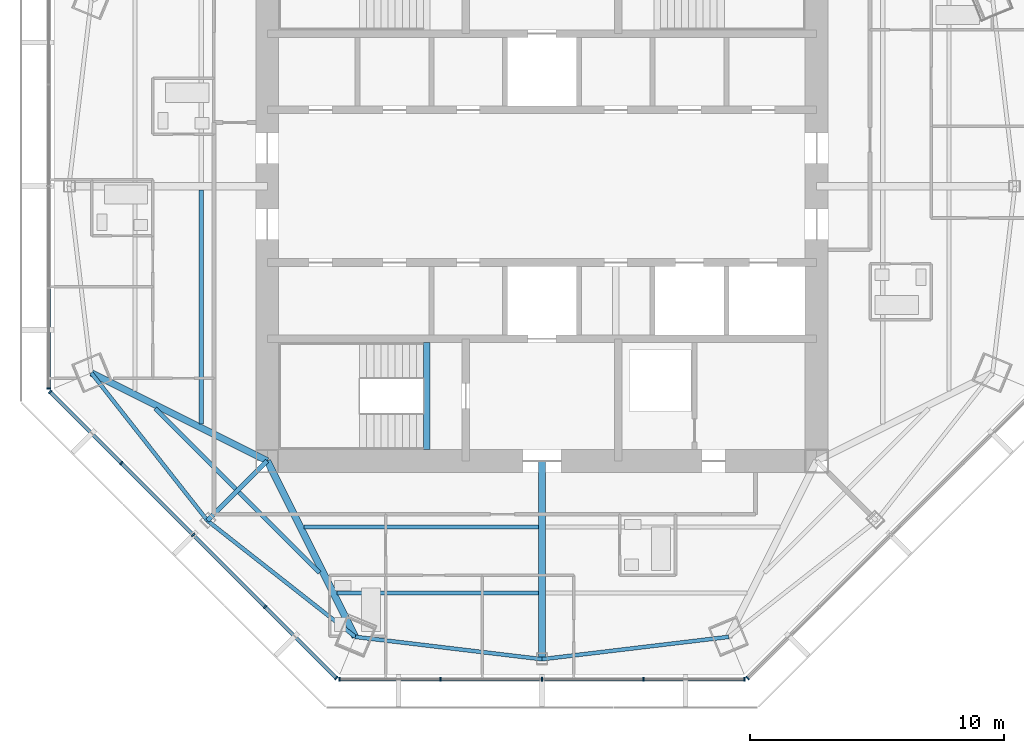
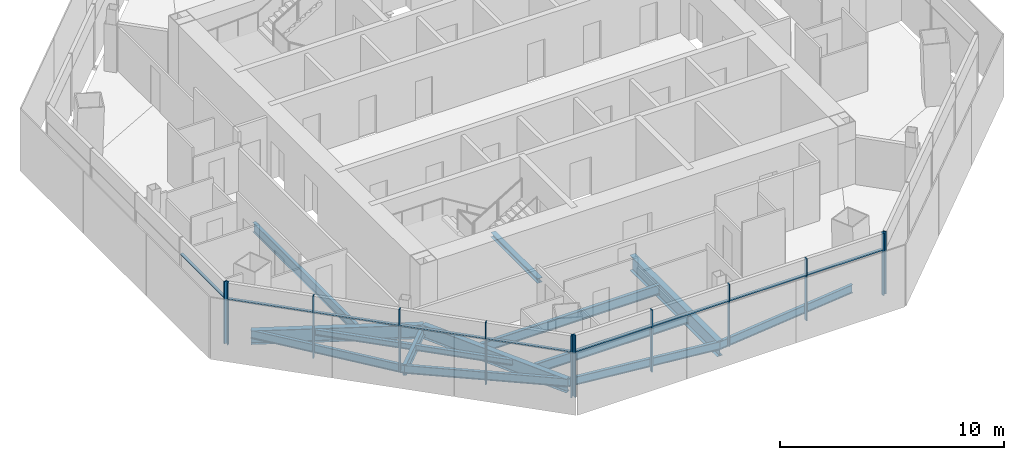
# One storey, part 2 of 15: 21 members, 14 beams, 4 elements without a shape of their own.
"""IFC4 building model written with IfcOpenShell, lengths in metres."""

from ifc_helpers import new_model, si_unit, direction, frame, origin, origin_2d, place, context, subcontext, project, spatial, rectangle, i_section, extrude, source, transform, mapped, material, material_profile, profile_set, type_object, type_shapes, element, aggregate, save


model = new_model("IFC4")

# Units and contexts
model_context = context("Model", 3, precision=1e-05, world=origin(), true_north=direction((0.0, 1.0)))
body_context = subcontext(model_context, "Body", "Model", "MODEL_VIEW")
ifc_project = project(units=[si_unit("LENGTHUNIT", "METRE"), si_unit("AREAUNIT", "SQUARE_METRE"), si_unit("VOLUMEUNIT", "CUBIC_METRE"), si_unit("PLANEANGLEUNIT", "RADIAN"), si_unit("MASSUNIT", "GRAM", prefix="KILO")], contexts=[model_context])

# Site, building, storey
site_placement = place(None, origin())
site = spatial("IfcSite", under=ifc_project, at=site_placement, CompositionType="ELEMENT")
building_placement = place(site_placement, origin())
building = spatial("IfcBuilding", under=site, at=building_placement, Name="Mashrafa Tower", CompositionType="ELEMENT")
storey_placement = place(building_placement, frame((0.0, 0.0, 304.800048828125)))
storey = spatial("IfcBuildingStorey", under=building, at=storey_placement, Name="L75", CompositionType="ELEMENT", Elevation=304.800048828125)

# Beams
ifc_material_1 = material(Name="Steel ASTM A992", Category="steel")
ifc_material_profile_1 = material_profile(ifc_material_1, i_section(OverallWidth=0.164794921875, OverallDepth=0.309814453125, WebThickness=0.005859375, FlangeThickness=0.009765625, FilletRadius=0.007568359375, at=origin_2d()), Name="W12X26")
ifc_profile_set_1 = profile_set([ifc_material_profile_1], Name="Steel ASTM A992")
beam_type_1 = type_object("IfcBeamType", Name="Beam W12X26", PredefinedType="BEAM", material=ifc_profile_set_1)
for number, where, z_axis, x_axis, name in (
    (1, (-12.038330078125, -11.912353515625, -0.35498046875), (-0.707134049443, 0.707079511879, 0.0), (-0.707079511879, -0.707134049443, 0.0), "Floor beam L75 006"),
    (2, (-8.7470703125, -15.203857421875, -0.35498046875), (-0.707079511879, 0.707134049443, 0.0), (-0.707134049443, -0.707079511879, 0.0), "Floor beam L75 009"),
):
    element("IfcBeam", number, at=place(storey_placement, frame(where, z_axis=z_axis, x_axis=x_axis)), inside=storey, type_object=beam_type_1, Name=name, PredefinedType="BEAM", context=body_context, shape_type="SweptSolid", body=[
        extrude(i_section(OverallWidth=0.164794921875, OverallDepth=0.309814453125, WebThickness=0.005859375, FlangeThickness=0.009765625, FilletRadius=0.007568359375, at=origin_2d()), origin(), (0.0, 0.0, 1.0), 4.4765625),
    ])
ifc_material_2 = material(Name="Steel ASTM A992", Category="steel")
ifc_material_profile_2 = material_profile(ifc_material_2, i_section(OverallWidth=0.15234375, OverallDepth=0.449462890625, WebThickness=0.007568359375, FlangeThickness=0.0107421875, FilletRadius=0.01025390625, at=origin_2d()), Name="W18X35")
ifc_profile_set_2 = profile_set([ifc_material_profile_2], Name="Steel ASTM A992")
beam_type_2 = type_object("IfcBeamType", Name="Beam W18X35", PredefinedType="BEAM", material=ifc_profile_set_2)
for number, where, z_axis, x_axis, name in (
    (3, (-17.7197265625, -7.33984375, -0.4248046875), (0.61807532044, -0.786118883034, 0.0), (0.786118883034, 0.61807532044, 0.0), "Spandrel beam L75 042"),
    (4, (-13.15087890625, -13.15087890625, -0.4248046875), (0.786118883034, -0.61807532044, 0.0), (0.61807532044, 0.786118883034, 0.0), "Spandrel beam L75 044"),
    (5, (-7.33984375, -17.7197265625, -0.4248046875), (0.99291850392, -0.118797493966, 0.0), (0.118797493966, 0.99291850392, 0.0), "Spandrel beam L75 046"),
    (6, (0.0, -18.597900390625, -0.4248046875), (0.99291850392, 0.118797493966, 0.0), (-0.118797493966, 0.99291850392, 0.0), "Spandrel beam L75 048"),
):
    element("IfcBeam", number, at=place(storey_placement, frame(where, z_axis=z_axis, x_axis=x_axis)), inside=storey, type_object=beam_type_2, Name=name, PredefinedType="BEAM", context=body_context, shape_type="SweptSolid", body=[
        extrude(i_section(OverallWidth=0.15234375, OverallDepth=0.449462890625, WebThickness=0.007568359375, FlangeThickness=0.0107421875, FilletRadius=0.01025390625, at=origin_2d()), origin(), (0.0, 0.0, 1.0), 7.39208984375),
    ])
ifc_material_3 = material(Name="Steel ASTM A992", Category="steel")
ifc_material_profile_3 = material_profile(ifc_material_3, i_section(OverallWidth=0.165771484375, OverallDepth=0.5283203125, WebThickness=0.009765625, FlangeThickness=0.013671875, FilletRadius=0.012939453125, at=origin_2d()), Name="W21X50")
ifc_profile_set_3 = profile_set([ifc_material_profile_3], Name="Steel ASTM A992")
beam_type_3 = type_object("IfcBeamType", Name="Beam W21X50", PredefinedType="BEAM", material=ifc_profile_set_3)
beam_1_placement = place(storey_placement, frame((-13.3994140625, -9.35107421875, -0.464111328125), z_axis=(0.0, 1.0, 0.0), x_axis=(-1.0, 0.0, 0.0)))
element("IfcBeam", 7, at=beam_1_placement, inside=storey, type_object=beam_type_3, Name="Floor beam L75 004", PredefinedType="BEAM", context=body_context, shape_type="SweptSolid", body=[
    extrude(i_section(OverallWidth=0.165771484375, OverallDepth=0.5283203125, WebThickness=0.009765625, FlangeThickness=0.013671875, FilletRadius=0.012939453125, at=origin_2d()), origin(), (0.0, 0.0, 1.0), 9.205078125),
])
beam_2_placement = place(storey_placement, frame((-0.14599609375, -15.998779296875, -0.464111328125), z_axis=(-1.0, 0.0, 0.0), x_axis=(0.0, -1.0, 0.0)))
element("IfcBeam", 8, at=beam_2_placement, inside=storey, type_object=beam_type_3, Name="Floor beam L75 011", PredefinedType="BEAM", context=body_context, shape_type="SweptSolid", body=[
    extrude(i_section(OverallWidth=0.165771484375, OverallDepth=0.5283203125, WebThickness=0.009765625, FlangeThickness=0.013671875, FilletRadius=0.012939453125, at=origin_2d()), origin(), (0.0, 0.0, 1.0), 7.9052734375),
])
beam_3_placement = place(storey_placement, frame((-0.14599609375, -13.3994140625, -0.464111328125), z_axis=(-1.0, 0.0, 0.0), x_axis=(0.0, -1.0, 0.0)))
element("IfcBeam", 9, at=beam_3_placement, inside=storey, type_object=beam_type_3, Name="Floor beam L75 012", PredefinedType="BEAM", context=body_context, shape_type="SweptSolid", body=[
    extrude(i_section(OverallWidth=0.165771484375, OverallDepth=0.5283203125, WebThickness=0.009765625, FlangeThickness=0.013671875, FilletRadius=0.012939453125, at=origin_2d()), origin(), (0.0, 0.0, 1.0), 9.205078125),
])
ifc_material_4 = material(Name="Steel ASTM A992", Category="steel")
ifc_material_profile_4 = material_profile(ifc_material_4, i_section(OverallWidth=0.177978515625, OverallDepth=0.599365234375, WebThickness=0.010009765625, FlangeThickness=0.012939453125, FilletRadius=0.012939453125, at=origin_2d()), Name="W24X55")
ifc_profile_set_4 = profile_set([ifc_material_profile_4], Name="Steel ASTM A992")
beam_type_4 = type_object("IfcBeamType", Name="Beam W24X55", PredefinedType="BEAM", material=ifc_profile_set_4)
beam_4_placement = place(storey_placement, frame((-10.800048828125, -10.800048828125, -0.499755859375), z_axis=(-0.707106781187, -0.707106781187, 0.0), x_axis=(0.707106781187, -0.707106781187, 0.0)))
element("IfcBeam", 10, at=beam_4_placement, inside=storey, type_object=beam_type_4, Name="Radial girder L75 026", PredefinedType="BEAM", context=body_context, shape_type="SweptSolid", body=[
    extrude(i_section(OverallWidth=0.177978515625, OverallDepth=0.599365234375, WebThickness=0.010009765625, FlangeThickness=0.012939453125, FilletRadius=0.012939453125, at=origin_2d()), origin(), (0.0, 0.0, 1.0), 3.324462890625),
])
ifc_material_5 = material(Name="Steel ASTM A992", Category="steel")
ifc_material_profile_5 = material_profile(ifc_material_5, i_section(OverallWidth=0.2666015625, OverallDepth=0.75439453125, WebThickness=0.01318359375, FlangeThickness=0.01708984375, FilletRadius=0.0166015625, at=origin_2d()), Name="W30X99")
ifc_profile_set_5 = profile_set([ifc_material_profile_5], Name="Steel ASTM A992")
beam_type_5 = type_object("IfcBeamType", Name="Beam W30X99", PredefinedType="BEAM", material=ifc_profile_set_5)
for number, where, z_axis, x_axis, name in (
    (11, (-10.800048828125, -10.800048828125, -0.5771484375), (-0.894408256248, 0.447251463, 0.0), (-0.447251463, -0.894408256248, 0.0), "Radial girder L75 025"),
    (12, (-10.800048828125, -10.800048828125, -0.5771484375), (0.447251463, -0.894408256248, 0.0), (0.894408256248, 0.447251463, 0.0), "Radial girder L75 027"),
):
    element("IfcBeam", number, at=place(storey_placement, frame(where, z_axis=z_axis, x_axis=x_axis)), inside=storey, type_object=beam_type_5, Name=name, PredefinedType="BEAM", context=body_context, shape_type="SweptSolid", body=[
        extrude(i_section(OverallWidth=0.2666015625, OverallDepth=0.75439453125, WebThickness=0.01318359375, FlangeThickness=0.01708984375, FilletRadius=0.0166015625, at=origin_2d()), origin(), (0.0, 0.0, 1.0), 7.736572265625),
    ])
ifc_material_6 = material(Name="Steel ASTM A992", Category="steel")
ifc_material_profile_6 = material_profile(ifc_material_6, i_section(OverallWidth=0.2919921875, OverallDepth=0.8408203125, WebThickness=0.0146484375, FlangeThickness=0.021728515625, FilletRadius=0.017333984375, at=origin_2d()), Name="W33X130")
ifc_profile_set_6 = profile_set([ifc_material_profile_6], Name="Steel ASTM A992")
beam_type_6 = type_object("IfcBeamType", Name="Beam W33X130", PredefinedType="BEAM", material=ifc_profile_set_6)
beam_5_placement = place(storey_placement, frame((0.0, -10.800048828125, -0.620361328125), z_axis=(0.0, -1.0, 0.0), x_axis=(1.0, 0.0, 0.0)))
element("IfcBeam", 13, at=beam_5_placement, inside=storey, type_object=beam_type_6, Name="Radial girder L75 032", PredefinedType="BEAM", context=body_context, shape_type="SweptSolid", body=[
    extrude(i_section(OverallWidth=0.2919921875, OverallDepth=0.8408203125, WebThickness=0.0146484375, FlangeThickness=0.021728515625, FilletRadius=0.017333984375, at=origin_2d()), origin(), (0.0, 0.0, 1.0), 7.7978515625),
])
ifc_material_7 = material(Name="Steel ASTM A992", Category="steel")
ifc_material_profile_7 = material_profile(ifc_material_7, i_section(OverallWidth=0.25390625, OverallDepth=0.25390625, WebThickness=0.008544921875, FlangeThickness=0.01416015625, FilletRadius=0.010009765625, at=origin_2d()), Name="W10X49")
ifc_profile_set_7 = profile_set([ifc_material_profile_7], Name="Steel ASTM A992")
beam_type_7 = type_object("IfcBeamType", Name="Hoistway beam W10X49", PredefinedType="BEAM", material=ifc_profile_set_7)
beam_6_placement = place(storey_placement, frame((-4.530029296875, -10.35009765625, -0.3271484375), z_axis=(0.0, 1.0, 0.0), x_axis=(-1.0, 0.0, 0.0)))
element("IfcBeam", 14, at=beam_6_placement, inside=storey, type_object=beam_type_7, Name="Stair S3 landing beam L75", PredefinedType="BEAM", context=body_context, shape_type="SweptSolid", body=[
    extrude(i_section(OverallWidth=0.25390625, OverallDepth=0.25390625, WebThickness=0.008544921875, FlangeThickness=0.01416015625, FilletRadius=0.010009765625, at=origin_2d()), origin(), (0.0, 0.0, 1.0), 4.2001953125),
])

# Curtain wall, member
ifc_material_8 = material(Name="Unitised aluminium curtain wall", Category="aluminium")
curtain_wall_type = type_object("IfcCurtainWallType", Name="Apartment curtain wall, zone 4 CW-D 160 deep", PredefinedType="NOTDEFINED", material=ifc_material_8)
curtain_wall_1_placement = place(storey_placement, origin())
curtain_wall_1 = element("IfcCurtainWall", 15, at=curtain_wall_1_placement, inside=storey, type_object=curtain_wall_type, Name="Apartment curtain wall, zone 4 L75 west", PredefinedType="NOTDEFINED")
ifc_material_9 = material(Name="Extruded aluminium mullion", Category="aluminium")
ifc_material_profile_8 = material_profile(ifc_material_9, rectangle(XDim=0.159912109375, YDim=0.06005859375, at=origin_2d()), Name="Mullion 60x160")
ifc_profile_set_8 = profile_set([ifc_material_profile_8], Name="Extruded aluminium mullion")
member_type_1 = type_object("IfcMemberType", Name="Mullion CW-D 60 x 160", PredefinedType="MULLION", material=ifc_profile_set_8)
shared_shape_1 = source(origin(), body_context, "Body", "SweptSolid", [
    extrude(rectangle(XDim=0.159912109375, YDim=0.06005859375, at=origin_2d()), origin(), (0.0, 0.0, 1.0), 3.39990234375),
])
type_shapes(member_type_1, [shared_shape_1])
member_1_placement = place(storey_placement, frame((-19.392333984375, -7.95947265625, 0.0), z_axis=(0.0, 0.0, 1.0), x_axis=(1.0, 0.0, 0.0)))
member_1 = element("IfcMember", 16, at=member_1_placement, type_object=member_type_1, Name="CW-D mullion 5", PredefinedType="MULLION", context=body_context, shape_type="MappedRepresentation", body=[
    mapped(shared_shape_1, transform((0.0, 0.0, 0.0))),
])

# Curtain wall, members
curtain_wall_2_placement = place(storey_placement, origin())
curtain_wall_2 = element("IfcCurtainWall", 17, at=curtain_wall_2_placement, inside=storey, type_object=curtain_wall_type, Name="Apartment curtain wall, zone 4 L75 south-west", PredefinedType="NOTDEFINED")
member_2_placement = place(storey_placement, frame((-19.340576171875, -8.084228515625, 0.0), z_axis=(0.0, 0.0, 1.0), x_axis=(0.707106781187, 0.707106781187, 0.0)))
member_2 = element("IfcMember", 18, at=member_2_placement, type_object=member_type_1, Name="CW-D mullion 1", PredefinedType="MULLION", context=body_context, shape_type="MappedRepresentation", body=[
    mapped(shared_shape_1, transform((0.0, 0.0, 0.0))),
])
member_3_placement = place(storey_placement, frame((-16.537109375, -10.8876953125, 0.0), z_axis=(0.0, 0.0, 1.0), x_axis=(0.707106781187, 0.707106781187, 0.0)))
member_3 = element("IfcMember", 19, at=member_3_placement, type_object=member_type_1, Name="CW-D mullion 2", PredefinedType="MULLION", context=body_context, shape_type="MappedRepresentation", body=[
    mapped(shared_shape_1, transform((0.0, 0.0, 0.0))),
])
member_4_placement = place(storey_placement, frame((-13.71240234375, -13.71240234375, 0.0), z_axis=(0.0, 0.0, 1.0), x_axis=(0.707106781187, 0.707106781187, 0.0)))
member_4 = element("IfcMember", 20, at=member_4_placement, type_object=member_type_1, Name="CW-D mullion 3", PredefinedType="MULLION", context=body_context, shape_type="MappedRepresentation", body=[
    mapped(shared_shape_1, transform((0.0, 0.0, 0.0))),
])
member_5_placement = place(storey_placement, frame((-10.8876953125, -16.537109375, 0.0), z_axis=(0.0, 0.0, 1.0), x_axis=(0.707106781187, 0.707106781187, 0.0)))
member_5 = element("IfcMember", 21, at=member_5_placement, type_object=member_type_1, Name="CW-D mullion 4", PredefinedType="MULLION", context=body_context, shape_type="MappedRepresentation", body=[
    mapped(shared_shape_1, transform((0.0, 0.0, 0.0))),
])
member_6_placement = place(storey_placement, frame((-8.084228515625, -19.340576171875, 0.0), z_axis=(0.0, 0.0, 1.0), x_axis=(0.707106781187, 0.707106781187, 0.0)))
member_6 = element("IfcMember", 22, at=member_6_placement, type_object=member_type_1, Name="CW-D mullion 5", PredefinedType="MULLION", context=body_context, shape_type="MappedRepresentation", body=[
    mapped(shared_shape_1, transform((0.0, 0.0, 0.0))),
])

curtain_wall_3_placement = place(storey_placement, origin())
curtain_wall_3 = element("IfcCurtainWall", 23, at=curtain_wall_3_placement, inside=storey, type_object=curtain_wall_type, Name="Apartment curtain wall, zone 4 L75 south", PredefinedType="NOTDEFINED")
member_7_placement = place(storey_placement, frame((-7.95947265625, -19.392333984375, 0.0), z_axis=(0.0, 0.0, 1.0), x_axis=(0.0, 1.0, 0.0)))
member_7 = element("IfcMember", 24, at=member_7_placement, type_object=member_type_1, Name="CW-D mullion 1", PredefinedType="MULLION", context=body_context, shape_type="MappedRepresentation", body=[
    mapped(shared_shape_1, transform((0.0, 0.0, 0.0))),
])
member_8_placement = place(storey_placement, frame((-3.99462890625, -19.392333984375, 0.0), z_axis=(0.0, 0.0, 1.0), x_axis=(0.0, 1.0, 0.0)))
member_8 = element("IfcMember", 25, at=member_8_placement, type_object=member_type_1, Name="CW-D mullion 2", PredefinedType="MULLION", context=body_context, shape_type="MappedRepresentation", body=[
    mapped(shared_shape_1, transform((0.0, 0.0, 0.0))),
])
member_9_placement = place(storey_placement, frame((0.0, -19.392333984375, 0.0), z_axis=(0.0, 0.0, 1.0), x_axis=(0.0, 1.0, 0.0)))
member_9 = element("IfcMember", 26, at=member_9_placement, type_object=member_type_1, Name="CW-D mullion 3", PredefinedType="MULLION", context=body_context, shape_type="MappedRepresentation", body=[
    mapped(shared_shape_1, transform((0.0, 0.0, 0.0))),
])
member_10_placement = place(storey_placement, frame((3.99462890625, -19.392333984375, 0.0), z_axis=(0.0, 0.0, 1.0), x_axis=(0.0, 1.0, 0.0)))
member_10 = element("IfcMember", 27, at=member_10_placement, type_object=member_type_1, Name="CW-D mullion 4", PredefinedType="MULLION", context=body_context, shape_type="MappedRepresentation", body=[
    mapped(shared_shape_1, transform((0.0, 0.0, 0.0))),
])
member_11_placement = place(storey_placement, frame((7.95947265625, -19.392333984375, 0.0), z_axis=(0.0, 0.0, 1.0), x_axis=(0.0, 1.0, 0.0)))
member_11 = element("IfcMember", 28, at=member_11_placement, type_object=member_type_1, Name="CW-D mullion 5", PredefinedType="MULLION", context=body_context, shape_type="MappedRepresentation", body=[
    mapped(shared_shape_1, transform((0.0, 0.0, 0.0))),
])

# Curtain wall, member
curtain_wall_4_placement = place(storey_placement, origin())
curtain_wall_4 = element("IfcCurtainWall", 29, at=curtain_wall_4_placement, inside=storey, type_object=curtain_wall_type, Name="Apartment curtain wall, zone 4 L75 south-east", PredefinedType="NOTDEFINED")
member_12_placement = place(storey_placement, frame((8.084228515625, -19.340576171875, 0.0), z_axis=(0.0, 0.0, 1.0), x_axis=(-0.707106781187, 0.707106781187, 0.0)))
member_12 = element("IfcMember", 30, at=member_12_placement, type_object=member_type_1, Name="CW-D mullion 1", PredefinedType="MULLION", context=body_context, shape_type="MappedRepresentation", body=[
    mapped(shared_shape_1, transform((0.0, 0.0, 0.0))),
])
aggregate(curtain_wall_4, [member_12])

# Member
ifc_material_10 = material(Name="Extruded aluminium transom", Category="aluminium")
ifc_material_profile_9 = material_profile(ifc_material_10, rectangle(XDim=0.1279296875, YDim=0.074951171875, at=origin_2d()), Name="Transom 75x128")
ifc_profile_set_9 = profile_set([ifc_material_profile_9], Name="Extruded aluminium transom")
member_type_2 = type_object("IfcMemberType", Name="Transom CW-D 75 x 128", PredefinedType="MULLION", material=ifc_profile_set_9)
shared_shape_2 = source(origin(), body_context, "Body", "SweptSolid", [
    extrude(rectangle(XDim=0.1279296875, YDim=0.074951171875, at=origin_2d()), origin(), (0.0, 0.0, 1.0), 3.90478515625),
])
member_13_placement = place(storey_placement, frame((-19.392333984375, -4.024658203125, 2.5), z_axis=(0.0, -1.0, 0.0), x_axis=(1.0, 0.0, 0.0)))
member_13 = element("IfcMember", 31, at=member_13_placement, type_object=member_type_2, Name="CW-D transom 4", PredefinedType="MULLION", context=body_context, shape_type="MappedRepresentation", body=[
    mapped(shared_shape_2, transform((0.0, 0.0, 0.0))),
])

aggregate(curtain_wall_1, [member_1, member_13])

member_14_placement = place(storey_placement, frame((-7.929443359375, -19.392333984375, 2.5), z_axis=(1.0, 0.0, 0.0), x_axis=(0.0, 1.0, 0.0)))
member_14 = element("IfcMember", 32, at=member_14_placement, type_object=member_type_2, Name="CW-D transom 1", PredefinedType="MULLION", context=body_context, shape_type="MappedRepresentation", body=[
    mapped(shared_shape_2, transform((0.0, 0.0, 0.0))),
])

member_15_placement = place(storey_placement, frame((4.024658203125, -19.392333984375, 2.5), z_axis=(1.0, 0.0, 0.0), x_axis=(0.0, 1.0, 0.0)))
member_15 = element("IfcMember", 33, at=member_15_placement, type_object=member_type_2, Name="CW-D transom 4", PredefinedType="MULLION", context=body_context, shape_type="MappedRepresentation", body=[
    mapped(shared_shape_2, transform((0.0, 0.0, 0.0))),
])

shared_shape_3 = source(origin(), body_context, "Body", "SweptSolid", [
    extrude(rectangle(XDim=0.1279296875, YDim=0.074951171875, at=origin_2d()), origin(), (0.0, 0.0, 1.0), 3.9345703125),
])
member_16_placement = place(storey_placement, frame((-16.515869140625, -10.908935546875, 2.5), z_axis=(0.707106781187, -0.707106781187, 0.0), x_axis=(0.707106781187, 0.707106781187, 0.0)))
member_16 = element("IfcMember", 34, at=member_16_placement, type_object=member_type_2, Name="CW-D transom 2", PredefinedType="MULLION", context=body_context, shape_type="MappedRepresentation", body=[
    mapped(shared_shape_3, transform((0.0, 0.0, 0.0))),
])

member_17_placement = place(storey_placement, frame((-13.691162109375, -13.733642578125, 2.5), z_axis=(0.707106781187, -0.707106781187, 0.0), x_axis=(0.707106781187, 0.707106781187, 0.0)))
member_17 = element("IfcMember", 35, at=member_17_placement, type_object=member_type_2, Name="CW-D transom 3", PredefinedType="MULLION", context=body_context, shape_type="MappedRepresentation", body=[
    mapped(shared_shape_3, transform((0.0, 0.0, 0.0))),
])

member_18_placement = place(storey_placement, frame((-3.964599609375, -19.392333984375, 2.5), z_axis=(1.0, 0.0, 0.0), x_axis=(0.0, 1.0, 0.0)))
member_18 = element("IfcMember", 36, at=member_18_placement, type_object=member_type_2, Name="CW-D transom 2", PredefinedType="MULLION", context=body_context, shape_type="MappedRepresentation", body=[
    mapped(shared_shape_3, transform((0.0, 0.0, 0.0))),
])

member_19_placement = place(storey_placement, frame((0.030029296875, -19.392333984375, 2.5), z_axis=(1.0, 0.0, 0.0), x_axis=(0.0, 1.0, 0.0)))
member_19 = element("IfcMember", 37, at=member_19_placement, type_object=member_type_2, Name="CW-D transom 3", PredefinedType="MULLION", context=body_context, shape_type="MappedRepresentation", body=[
    mapped(shared_shape_3, transform((0.0, 0.0, 0.0))),
])

aggregate(curtain_wall_3, [member_7, member_8, member_9, member_10, member_11, member_14, member_18, member_19, member_15])

shared_shape_4 = source(origin(), body_context, "Body", "SweptSolid", [
    extrude(rectangle(XDim=0.1279296875, YDim=0.074951171875, at=origin_2d()), origin(), (0.0, 0.0, 1.0), 3.904541015625),
])
type_shapes(member_type_2, [shared_shape_2, shared_shape_3, shared_shape_4])
member_20_placement = place(storey_placement, frame((-19.3193359375, -8.10546875, 2.5), z_axis=(0.707106781187, -0.707106781187, 0.0), x_axis=(0.707106781187, 0.707106781187, 0.0)))
member_20 = element("IfcMember", 38, at=member_20_placement, type_object=member_type_2, Name="CW-D transom 1", PredefinedType="MULLION", context=body_context, shape_type="MappedRepresentation", body=[
    mapped(shared_shape_4, transform((0.0, 0.0, 0.0))),
])

member_21_placement = place(storey_placement, frame((-10.866455078125, -16.558349609375, 2.5), z_axis=(0.707106781187, -0.707106781187, 0.0), x_axis=(0.707106781187, 0.707106781187, 0.0)))
member_21 = element("IfcMember", 39, at=member_21_placement, type_object=member_type_2, Name="CW-D transom 4", PredefinedType="MULLION", context=body_context, shape_type="MappedRepresentation", body=[
    mapped(shared_shape_4, transform((0.0, 0.0, 0.0))),
])

aggregate(curtain_wall_2, [member_2, member_3, member_4, member_5, member_6, member_20, member_16, member_17, member_21])

save(model, "model.ifc")
